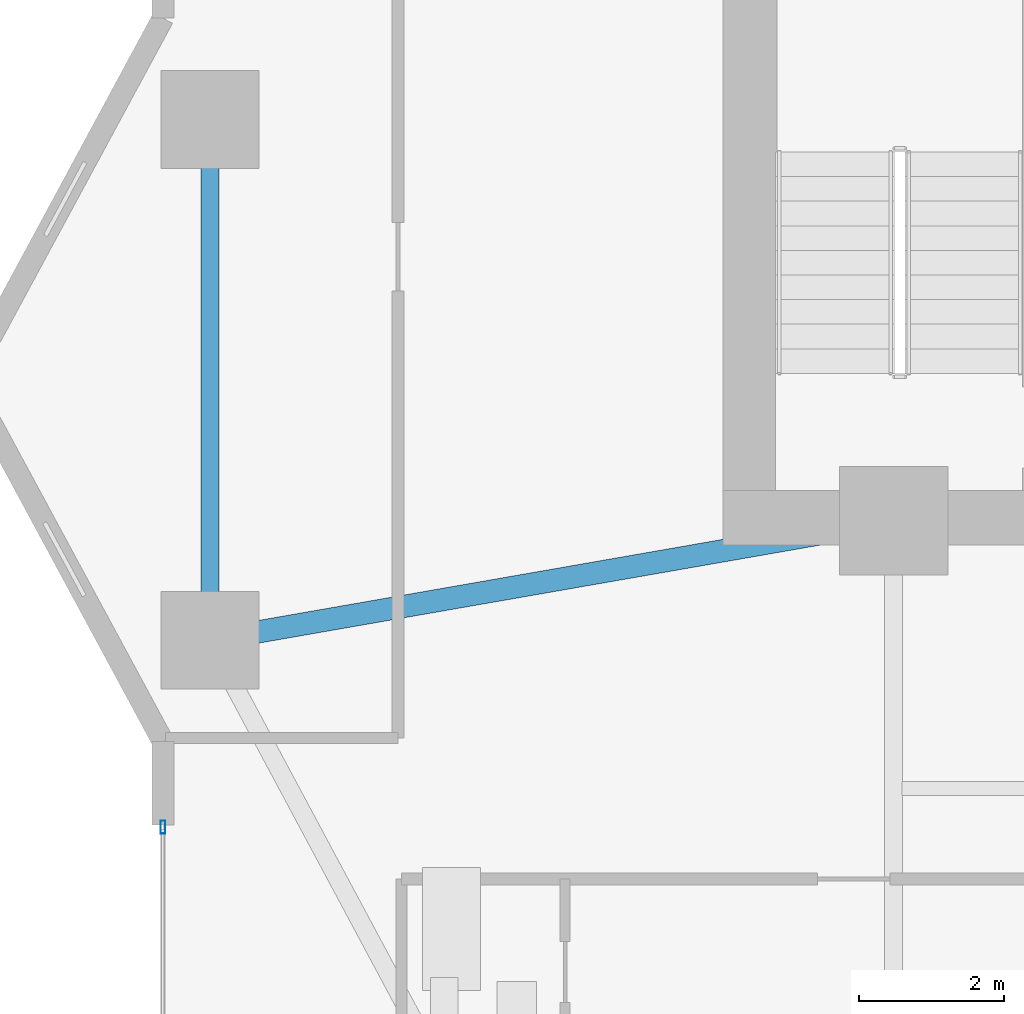
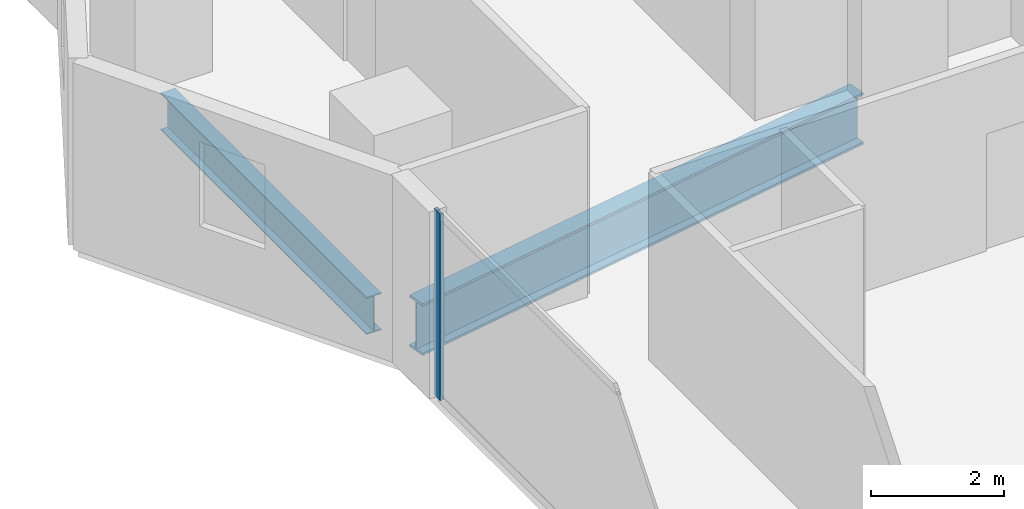
# One storey, part 7 of 28: 2 beams, 1 member, 1 element without a shape of its own.
"""IFC4 building model written with IfcOpenShell, lengths in metres."""

from ifc_helpers import new_model, si_unit, direction, frame, origin, origin_2d, place, context, subcontext, project, spatial, hollow_rectangle, i_section, extrude, material, layer, layer_set, material_profile, profile_set, type_object, element, aggregate, save


model = new_model("IFC4")

# Units and contexts
model_context = context("Model", 3, precision=1e-05, world=origin(), true_north=direction((0.0, 1.0)))
body_context = subcontext(model_context, "Body", "Model", "MODEL_VIEW")
ifc_project = project(units=[si_unit("LENGTHUNIT", "METRE"), si_unit("AREAUNIT", "SQUARE_METRE"), si_unit("VOLUMEUNIT", "CUBIC_METRE"), si_unit("PLANEANGLEUNIT", "RADIAN"), si_unit("MASSUNIT", "GRAM", prefix="KILO")], contexts=[model_context])

# Site, building, storey
site_placement = place(None, origin())
site = spatial("IfcSite", under=ifc_project, at=site_placement, CompositionType="ELEMENT")
building_placement = place(site_placement, origin())
building = spatial("IfcBuilding", under=site, at=building_placement, Name="Zuhayl Quay Hotel", CompositionType="ELEMENT")
storey_placement = place(building_placement, frame((0.0, 0.0, 143.10009765625)))
storey = spatial("IfcBuildingStorey", under=building, at=storey_placement, Name="L36", CompositionType="ELEMENT", Elevation=143.10009765625)

# Beams
ifc_material_1 = material(Name="Steel ASTM A992 Grade 50", Category="steel")
ifc_material_profile_1 = material_profile(ifc_material_1, i_section(OverallWidth=0.25390625, OverallDepth=0.68310546875, WebThickness=0.012451171875, FlangeThickness=0.018798828125, at=origin_2d()), Name="W27X94")
ifc_profile_set_1 = profile_set([ifc_material_profile_1], Name="Steel ASTM A992 Grade 50")
beam_type_1 = type_object("IfcBeamType", Name="BM_B2_W27X94", PredefinedType="BEAM", material=ifc_profile_set_1)
beam_1_placement = place(storey_placement, frame((-23.25, 9.60009765625, -0.5615234375), z_axis=(0.0, -1.0, 0.0), x_axis=(1.0, 0.0, 0.0)))
element("IfcBeam", 1, at=beam_1_placement, inside=storey, type_object=beam_type_1, Name="L36 Floor Beam RG_L36_11", PredefinedType="BEAM", context=body_context, shape_type="SweptSolid", body=[
    extrude(i_section(OverallWidth=0.25390625, OverallDepth=0.68310546875, WebThickness=0.012451171875, FlangeThickness=0.018798828125, at=origin_2d()), origin(), (0.0, 0.0, 1.0), 6.2001953125),
])
ifc_material_profile_2 = material_profile(ifc_material_1, i_section(OverallWidth=0.31005859375, OverallDepth=0.949951171875, WebThickness=0.0244140625, FlangeThickness=0.0439453125, at=origin_2d()), Name="W36X256")
ifc_profile_set_2 = profile_set([ifc_material_profile_2], Name="Steel ASTM A992 Grade 50")
beam_type_2 = type_object("IfcBeamType", Name="BM_PG1_W36X256", PredefinedType="BEAM", material=ifc_profile_set_2)
beam_2_placement = place(storey_placement, frame((-22.757568359375, 2.986083984375, -0.695068359375), z_axis=(0.985097302632, 0.171997977741, 0.0), x_axis=(-0.171997977741, 0.985097302632, 0.0)))
element("IfcBeam", 2, at=beam_2_placement, inside=storey, type_object=beam_type_2, Name="L36 Floor Beam FG_W_L36_1", PredefinedType="BEAM", context=body_context, shape_type="SweptSolid", body=[
    extrude(i_section(OverallWidth=0.31005859375, OverallDepth=0.949951171875, WebThickness=0.0244140625, FlangeThickness=0.0439453125, at=origin_2d()), origin(), (0.0, 0.0, 1.0), 8.64306640625),
])

# Curtain wall, member
ifc_material_2 = material(Name="Anodised Aluminium 6063-T6", Category="aluminium")
ifc_layer = layer(ifc_material_2, 0.179931640625, Name="Anodised Aluminium 6063-T6", Category="aluminium")
ifc_layer_set = layer_set([ifc_layer], Name="Anodised Aluminium 6063-T6")
curtain_wall_type = type_object("IfcCurtainWallType", Name="CW_SYS_Z2", PredefinedType="USERDEFINED", material=ifc_layer_set)
curtain_wall_placement = place(storey_placement, origin())
curtain_wall = element("IfcCurtainWall", 3, at=curtain_wall_placement, inside=storey, type_object=curtain_wall_type, Name="L36 Curtain Wall ENV_L36_E02_CW1", ObjectType="UNITISED CURTAIN WALL", PredefinedType="USERDEFINED")
ifc_material_3 = material(Name="Black-anodised aluminium 6063-T6", Category="aluminium")
ifc_material_profile_3 = material_profile(ifc_material_3, hollow_rectangle(XDim=0.06494140625, YDim=0.179931640625, WallThickness=0.00341796875, at=origin_2d()), Name="ALU180X65")
ifc_profile_set_3 = profile_set([ifc_material_profile_3], Name="Black-anodised aluminium 6063-T6")
member_type = type_object("IfcMemberType", Name="MB_CW_MUL_180", PredefinedType="MULLION", material=ifc_profile_set_3)
member_placement = place(storey_placement, frame((-23.89990234375, 0.3173828125, 0.0), z_axis=(0.0, 0.0, 1.0), x_axis=(-1.0, 0.0, 0.0)))
member = element("IfcMember", 4, at=member_placement, type_object=member_type, Name="CW-Z2 mullion 2", PredefinedType="MULLION", context=body_context, shape_type="SweptSolid", body=[
    extrude(hollow_rectangle(XDim=0.06494140625, YDim=0.179931640625, WallThickness=0.00341796875, at=origin_2d()), origin(), (0.0, 0.0, 1.0), 3.429931640625),
])
aggregate(curtain_wall, [member])

save(model, "model.ifc")
